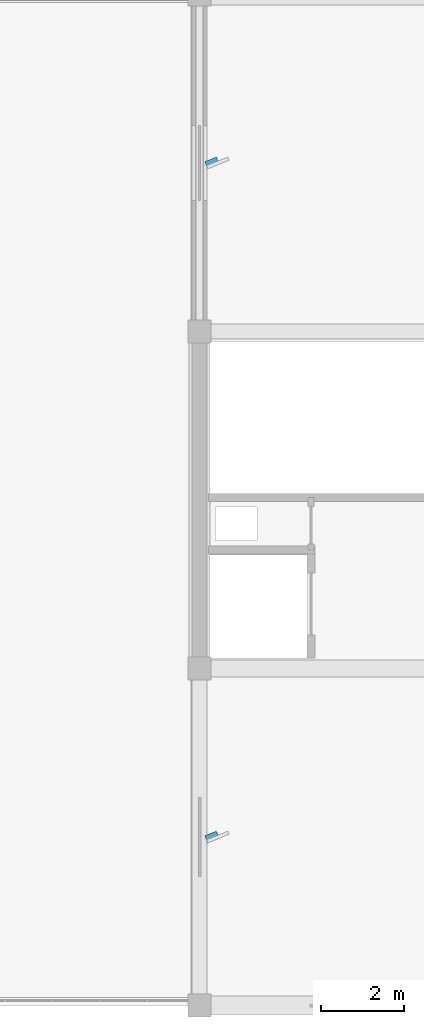
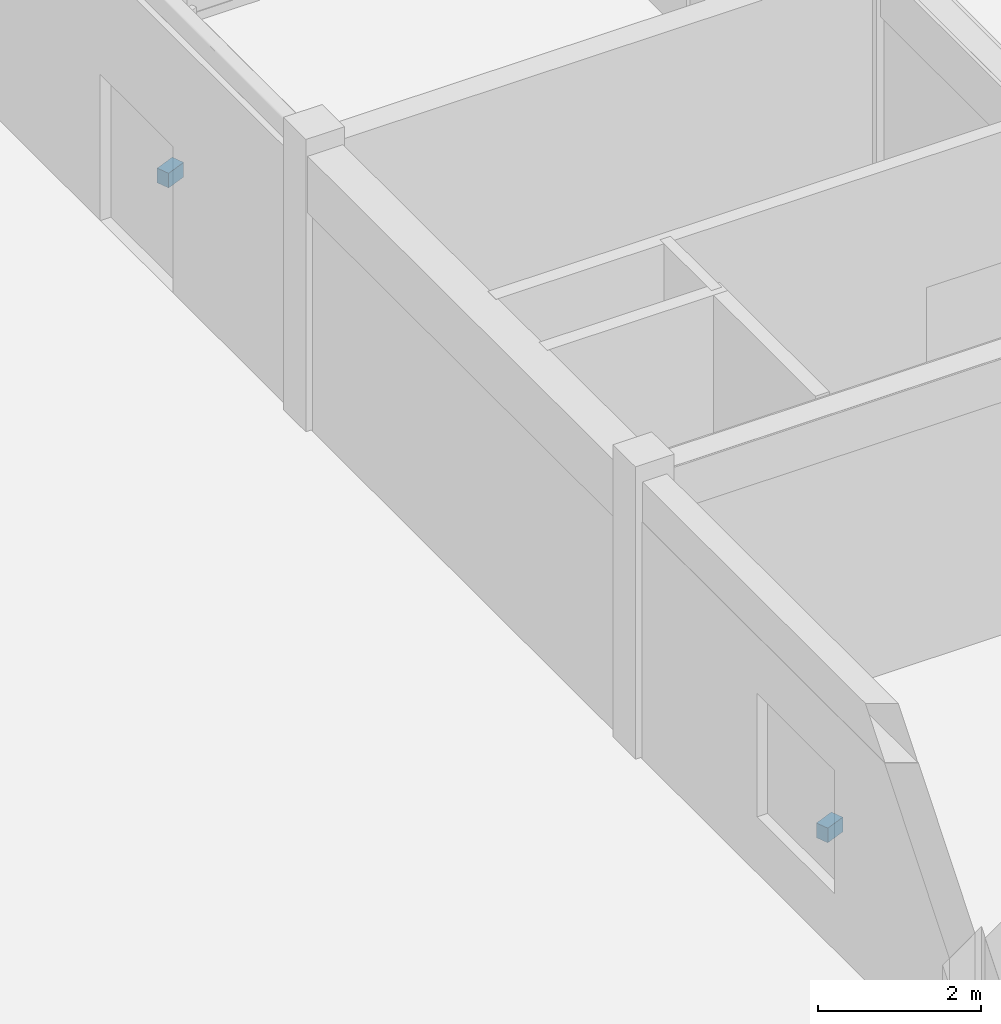
# One storey, part 34 of 40: 2 discrete accessories.
"""IFC4 building model written with IfcOpenShell, lengths in metres."""

from ifc_helpers import new_model, si_unit, direction, frame, origin, origin_2d, place, context, subcontext, project, spatial, rectangle, extrude, material, type_object, element, save


model = new_model("IFC4")

# Units and contexts
model_context = context("Model", 3, precision=1e-05, world=origin(), true_north=direction((0.0, 1.0)))
body_context = subcontext(model_context, "Body", "Model", "MODEL_VIEW")
ifc_project = project(units=[si_unit("LENGTHUNIT", "METRE"), si_unit("AREAUNIT", "SQUARE_METRE"), si_unit("VOLUMEUNIT", "CUBIC_METRE"), si_unit("PLANEANGLEUNIT", "RADIAN"), si_unit("MASSUNIT", "GRAM", prefix="KILO")], contexts=[model_context])

# Site, building, storey
site_placement = place(None, origin())
site = spatial("IfcSite", under=ifc_project, at=site_placement, CompositionType="ELEMENT")
building_placement = place(site_placement, origin())
building = spatial("IfcBuilding", under=site, at=building_placement, Name="Vaudrelin Polytechnic", CompositionType="ELEMENT")
storey_placement = place(building_placement, frame((0.0, 0.0, 22.949951171875)))
storey = spatial("IfcBuildingStorey", under=building, at=storey_placement, Name="L05", CompositionType="ELEMENT", Elevation=22.949951171875)

# Discrete accessories
ifc_material = material(Name="Galvanised steel CSA G40.21 350W", Category="steel")
discrete_accessory_type = type_object("IfcDiscreteAccessoryType", Name="ENV-BRK-01", PredefinedType="BRACKET", material=ifc_material)
for number, where, z_axis, x_axis, name in (
    (1, (16.5, 101.25, 0.990234375), (0.0, 0.0, 1.0), (0.927183854567, 0.374606593416, 0.0), "Solar fin support bracket BRK-038"),
    (2, (16.5, 117.449951171875, 0.990234375), (0.0, 0.0, 1.0), (0.927183854567, 0.374606593416, 0.0), "Solar fin support bracket BRK-039"),
):
    element("IfcDiscreteAccessory", number, at=place(storey_placement, frame(where, z_axis=z_axis, x_axis=x_axis)), inside=storey, type_object=discrete_accessory_type, Name=name, PredefinedType="BRACKET", context=body_context, shape_type="SweptSolid", body=[
        extrude(rectangle(XDim=0.300048828125, YDim=0.179931640625, at=origin_2d()), origin(), (0.0, 0.0, 1.0), 0.219970703125),
    ])

save(model, "model.ifc")
